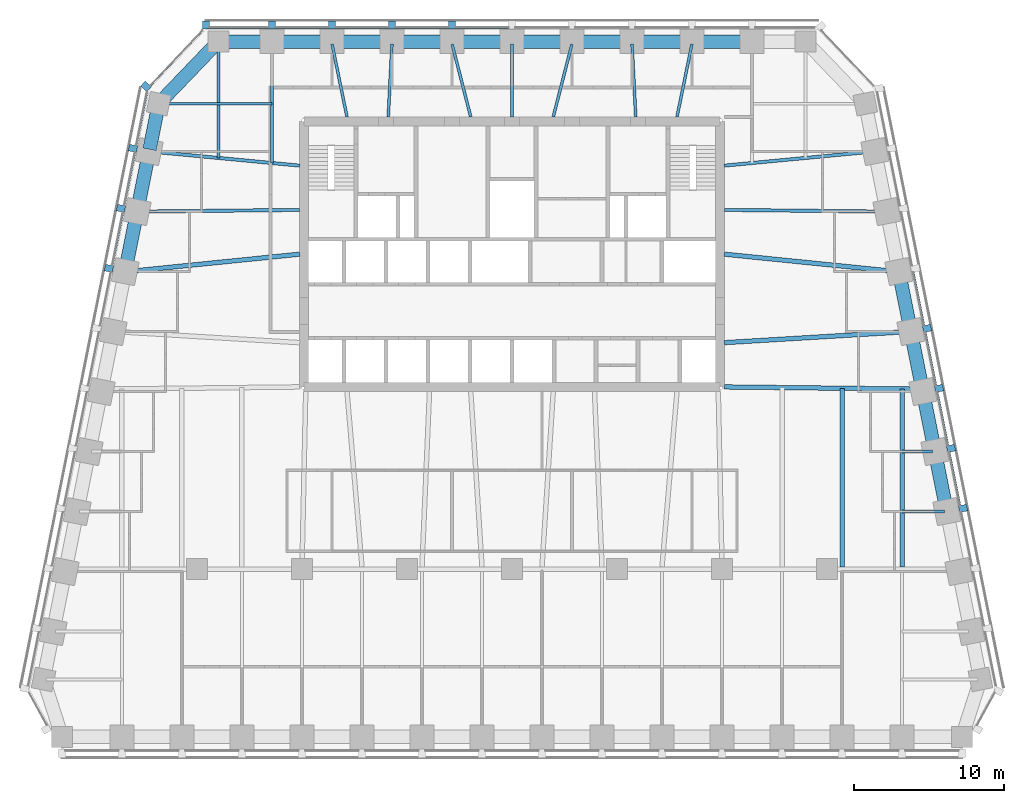
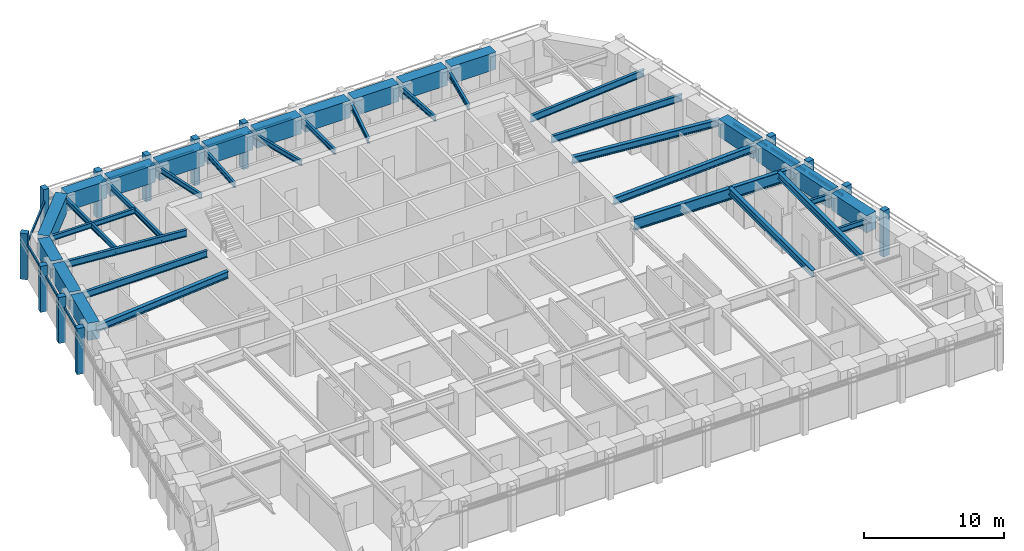
# One storey, part 3 of 11: 39 beams, 26 members, 4 elements without a shape of their own.
"""IFC4 building model written with IfcOpenShell, lengths in metres."""

from ifc_helpers import new_model, si_unit, direction, frame, origin, origin_2d, place, context, subcontext, project, spatial, rectangle, i_section, extrude, material, material_profile, profile_set, type_object, element, aggregate, save


model = new_model("IFC4")

# Units and contexts
model_context = context("Model", 3, precision=1e-05, world=origin(), true_north=direction((0.0, 1.0)))
body_context = subcontext(model_context, "Body", "Model", "MODEL_VIEW")
ifc_project = project(units=[si_unit("LENGTHUNIT", "METRE"), si_unit("AREAUNIT", "SQUARE_METRE"), si_unit("VOLUMEUNIT", "CUBIC_METRE"), si_unit("PLANEANGLEUNIT", "RADIAN"), si_unit("MASSUNIT", "GRAM", prefix="KILO")], contexts=[model_context])

# Site, building, storey
site_placement = place(None, origin())
site = spatial("IfcSite", under=ifc_project, at=site_placement, CompositionType="ELEMENT")
building_placement = place(site_placement, origin())
building = spatial("IfcBuilding", under=site, at=building_placement, Name="Isbrekke Arena Tower", CompositionType="ELEMENT")
storey_placement = place(building_placement, frame((0.0, 0.0, 202.0)))
storey = spatial("IfcBuildingStorey", under=building, at=storey_placement, Name="L46", CompositionType="ELEMENT", Elevation=202.0)

# Beams
ifc_material_1 = material(Name="Steel S355", Category="steel")
ifc_material_profile_1 = material_profile(ifc_material_1, i_section(OverallWidth=0.219970703125, OverallDepth=0.60009765625, WebThickness=0.011962890625, FlangeThickness=0.01904296875, FilletRadius=0.02392578125, at=origin_2d()), Name="IPE 600")
ifc_profile_set_1 = profile_set([ifc_material_profile_1], Name="Steel S355")
beam_type_1 = type_object("IfcBeamType", Name="B1 IPE 600", PredefinedType="BEAM", material=ifc_profile_set_1)
beam_1_placement = place(storey_placement, frame((24.83984375, 17.838134765625, 3.550048828125), z_axis=(-0.999945299061, 0.010459392202, 0.0), x_axis=(-0.010459392202, -0.999945299061, 0.0)))
element("IfcBeam", 1, at=beam_1_placement, inside=storey, type_object=beam_type_1, Name="B1 beam E-E09 L46", PredefinedType="BEAM", context=body_context, shape_type="SweptSolid", body=[
    extrude(i_section(OverallWidth=0.219970703125, OverallDepth=0.60009765625, WebThickness=0.011962890625, FlangeThickness=0.01904296875, FilletRadius=0.02392578125, at=origin_2d()), origin(), (0.0, 0.0, 1.0), 10.6904296875),
])
for number, where, z_axis, x_axis, name in (
    (2, (24.03076171875, 21.837158203125, 3.550048828125), (-0.99553133081, -0.094431823952, 0.0), (0.094431823952, -0.99553133081, 0.0), "B1 beam E-E10 L46"),
    (3, (-24.03076171875, 21.837158203125, 3.550048828125), (0.99553133081, -0.094431823952, 0.0), (0.094431823952, 0.99553133081, 0.0), "B1 beam E-W02 L46"),
):
    element("IfcBeam", number, at=place(storey_placement, frame(where, z_axis=z_axis, x_axis=x_axis)), inside=storey, type_object=beam_type_1, Name=name, PredefinedType="BEAM", context=body_context, shape_type="SweptSolid", body=[
        extrude(i_section(OverallWidth=0.219970703125, OverallDepth=0.60009765625, WebThickness=0.011962890625, FlangeThickness=0.01904296875, FilletRadius=0.02392578125, at=origin_2d()), origin(), (0.0, 0.0, 1.0), 9.92529296875),
    ])
beam_2_placement = place(storey_placement, frame((-24.83984375, 17.838134765625, 3.550048828125), z_axis=(0.999945299061, 0.010459392202, 0.0), x_axis=(-0.010459392202, 0.999945299061, 0.0)))
element("IfcBeam", 4, at=beam_2_placement, inside=storey, type_object=beam_type_1, Name="B1 beam E-W03 L46", PredefinedType="BEAM", context=body_context, shape_type="SweptSolid", body=[
    extrude(i_section(OverallWidth=0.219970703125, OverallDepth=0.60009765625, WebThickness=0.011962890625, FlangeThickness=0.01904296875, FilletRadius=0.02392578125, at=origin_2d()), origin(), (0.0, 0.0, 1.0), 10.6904296875),
])
ifc_material_2 = material(Name="Steel S355", Category="steel")
ifc_material_profile_2 = material_profile(ifc_material_2, i_section(OverallWidth=0.18994140625, OverallDepth=0.449951171875, WebThickness=0.009521484375, FlangeThickness=0.0146484375, FilletRadius=0.02099609375, at=origin_2d()), Name="IPE 450")
ifc_profile_set_2 = profile_set([ifc_material_profile_2], Name="Steel S355")
beam_type_2 = type_object("IfcBeamType", Name="B2 IPE 450", PredefinedType="BEAM", material=ifc_profile_set_2)
beam_3_placement = place(storey_placement, frame((28.841064453125, -2.161865234375, 3.625), z_axis=(-1.0, 0.0, 0.0), x_axis=(0.0, -1.0, 0.0)))
element("IfcBeam", 5, at=beam_3_placement, inside=storey, type_object=beam_type_2, Name="B2 beam E-E04 L46", PredefinedType="BEAM", context=body_context, shape_type="SweptSolid", body=[
    extrude(i_section(OverallWidth=0.18994140625, OverallDepth=0.449951171875, WebThickness=0.009521484375, FlangeThickness=0.0146484375, FilletRadius=0.02099609375, at=origin_2d()), origin(), (0.0, 0.0, 1.0), 2.841064453125),
])
beam_4_placement = place(storey_placement, frame((28.041015625, 1.838134765625, 3.625), z_axis=(-1.0, 0.0, 0.0), x_axis=(0.0, -1.0, 0.0)))
element("IfcBeam", 6, at=beam_4_placement, inside=storey, type_object=beam_type_2, Name="B2 beam E-E05 L46", PredefinedType="BEAM", context=body_context, shape_type="SweptSolid", body=[
    extrude(i_section(OverallWidth=0.18994140625, OverallDepth=0.449951171875, WebThickness=0.009521484375, FlangeThickness=0.0146484375, FilletRadius=0.02099609375, at=origin_2d()), origin(), (0.0, 0.0, 1.0), 2.041015625),
])
beam_5_placement = place(storey_placement, frame((-23.40283203125, 25.029296875, 3.625), z_axis=(1.0, 0.0, 0.0), x_axis=(0.0, 1.0, 0.0)))
element("IfcBeam", 7, at=beam_5_placement, inside=storey, type_object=beam_type_2, Name="B2 beam E-W01 L46", PredefinedType="BEAM", context=body_context, shape_type="SweptSolid", body=[
    extrude(i_section(OverallWidth=0.18994140625, OverallDepth=0.449951171875, WebThickness=0.009521484375, FlangeThickness=0.0146484375, FilletRadius=0.02099609375, at=origin_2d()), origin(), (0.0, 0.0, 1.0), 7.40283203125),
])
ifc_material_3 = material(Name="Steel S355", Category="steel")
ifc_material_profile_3 = material_profile(ifc_material_3, i_section(OverallWidth=0.18994140625, OverallDepth=0.449951171875, WebThickness=0.009521484375, FlangeThickness=0.0146484375, FilletRadius=0.02099609375, at=origin_2d()), Name="IPE 450")
ifc_profile_set_3 = profile_set([ifc_material_profile_3], Name="Steel S355")
beam_type_3 = type_object("IfcBeamType", Name="B3 IPE 450", PredefinedType="BEAM", material=ifc_profile_set_3)
beam_6_placement = place(storey_placement, frame((-16.0, 29.02490234375, 3.625), z_axis=(0.0, -1.0, 0.0), x_axis=(1.0, 0.0, 0.0)))
element("IfcBeam", 8, at=beam_6_placement, inside=storey, type_object=beam_type_3, Name="B3 beam N-N10 L46", PredefinedType="BEAM", context=body_context, shape_type="SweptSolid", body=[
    extrude(i_section(OverallWidth=0.18994140625, OverallDepth=0.449951171875, WebThickness=0.009521484375, FlangeThickness=0.0146484375, FilletRadius=0.02099609375, at=origin_2d()), origin(), (0.0, 0.0, 1.0), 7.949462890625),
])
beam_7_placement = place(storey_placement, frame((-19.574951171875, 29.02490234375, 3.625), z_axis=(0.0, -1.0, 0.0), x_axis=(1.0, 0.0, 0.0)))
element("IfcBeam", 9, at=beam_7_placement, inside=storey, type_object=beam_type_3, Name="B3 beam N-N11 L46", PredefinedType="BEAM", context=body_context, shape_type="SweptSolid", body=[
    extrude(i_section(OverallWidth=0.18994140625, OverallDepth=0.449951171875, WebThickness=0.009521484375, FlangeThickness=0.0146484375, FilletRadius=0.02099609375, at=origin_2d()), origin(), (0.0, 0.0, 1.0), 7.6103515625),
])
beam_8_placement = place(storey_placement, frame((11.99609375, 29.00634765625, 3.625), z_axis=(-0.200924755878, -0.979606677435, 0.0), x_axis=(0.979606677435, -0.200924755878, 0.0)))
element("IfcBeam", 10, at=beam_8_placement, inside=storey, type_object=beam_type_3, Name="B3 beam N-N03 L46", PredefinedType="BEAM", context=body_context, shape_type="SweptSolid", body=[
    extrude(i_section(OverallWidth=0.18994140625, OverallDepth=0.449951171875, WebThickness=0.009521484375, FlangeThickness=0.0146484375, FilletRadius=0.02099609375, at=origin_2d()), origin(), (0.0, 0.0, 1.0), 4.95751953125),
])
beam_9_placement = place(storey_placement, frame((8.000244140625, 29.02001953125, 3.625), z_axis=(0.051216032312, -0.998687597817, 0.0), x_axis=(0.998687597817, 0.051216032312, 0.0)))
element("IfcBeam", 11, at=beam_9_placement, inside=storey, type_object=beam_type_3, Name="B3 beam N-N04 L46", PredefinedType="BEAM", context=body_context, shape_type="SweptSolid", body=[
    extrude(i_section(OverallWidth=0.18994140625, OverallDepth=0.449951171875, WebThickness=0.009521484375, FlangeThickness=0.0146484375, FilletRadius=0.02099609375, at=origin_2d()), origin(), (0.0, 0.0, 1.0), 4.87646484375),
])
beam_10_placement = place(storey_placement, frame((3.994140625, 29.002197265625, 3.625), z_axis=(-0.248368314686, -0.968665670012, 0.0), x_axis=(0.968665670012, -0.248368314686, 0.0)))
element("IfcBeam", 12, at=beam_10_placement, inside=storey, type_object=beam_type_3, Name="B3 beam N-N05 L46", PredefinedType="BEAM", context=body_context, shape_type="SweptSolid", body=[
    extrude(i_section(OverallWidth=0.18994140625, OverallDepth=0.449951171875, WebThickness=0.009521484375, FlangeThickness=0.0146484375, FilletRadius=0.02099609375, at=origin_2d()), origin(), (0.0, 0.0, 1.0), 5.00927734375),
])
beam_11_placement = place(storey_placement, frame((0.0, 29.02490234375, 3.625), z_axis=(0.0, -1.0, 0.0), x_axis=(1.0, 0.0, 0.0)))
element("IfcBeam", 13, at=beam_11_placement, inside=storey, type_object=beam_type_3, Name="B3 beam N-N06 L46", PredefinedType="BEAM", context=body_context, shape_type="SweptSolid", body=[
    extrude(i_section(OverallWidth=0.18994140625, OverallDepth=0.449951171875, WebThickness=0.009521484375, FlangeThickness=0.0146484375, FilletRadius=0.02099609375, at=origin_2d()), origin(), (0.0, 0.0, 1.0), 4.875),
])
beam_12_placement = place(storey_placement, frame((-3.994140625, 29.002197265625, 3.625), z_axis=(0.248368314686, -0.968665670012, 0.0), x_axis=(0.968665670012, 0.248368314686, 0.0)))
element("IfcBeam", 14, at=beam_12_placement, inside=storey, type_object=beam_type_3, Name="B3 beam N-N07 L46", PredefinedType="BEAM", context=body_context, shape_type="SweptSolid", body=[
    extrude(i_section(OverallWidth=0.18994140625, OverallDepth=0.449951171875, WebThickness=0.009521484375, FlangeThickness=0.0146484375, FilletRadius=0.02099609375, at=origin_2d()), origin(), (0.0, 0.0, 1.0), 5.00927734375),
])
beam_13_placement = place(storey_placement, frame((-8.000244140625, 29.02001953125, 3.625), z_axis=(-0.051216032312, -0.998687597817, 0.0), x_axis=(0.998687597817, -0.051216032312, 0.0)))
element("IfcBeam", 15, at=beam_13_placement, inside=storey, type_object=beam_type_3, Name="B3 beam N-N08 L46", PredefinedType="BEAM", context=body_context, shape_type="SweptSolid", body=[
    extrude(i_section(OverallWidth=0.18994140625, OverallDepth=0.449951171875, WebThickness=0.009521484375, FlangeThickness=0.0146484375, FilletRadius=0.02099609375, at=origin_2d()), origin(), (0.0, 0.0, 1.0), 4.87646484375),
])
beam_14_placement = place(storey_placement, frame((-11.99609375, 29.00634765625, 3.625), z_axis=(0.200924755878, -0.979606677435, 0.0), x_axis=(0.979606677435, 0.200924755878, 0.0)))
element("IfcBeam", 16, at=beam_14_placement, inside=storey, type_object=beam_type_3, Name="B3 beam N-N09 L46", PredefinedType="BEAM", context=body_context, shape_type="SweptSolid", body=[
    extrude(i_section(OverallWidth=0.18994140625, OverallDepth=0.449951171875, WebThickness=0.009521484375, FlangeThickness=0.0146484375, FilletRadius=0.02099609375, at=origin_2d()), origin(), (0.0, 0.0, 1.0), 4.95751953125),
])
ifc_material_4 = material(Name="Steel S355", Category="steel")
ifc_material_profile_4 = material_profile(ifc_material_4, i_section(OverallWidth=0.300048828125, OverallDepth=0.60009765625, WebThickness=0.015380859375, FlangeThickness=0.030029296875, FilletRadius=0.027099609375, at=origin_2d()), Name="HEB 600")
ifc_profile_set_4 = profile_set([ifc_material_profile_4], Name="Steel S355")
beam_type_4 = type_object("IfcBeamType", Name="B7 HEB 600", PredefinedType="BEAM", material=ifc_profile_set_4)
beam_15_placement = place(storey_placement, frame((22.0, -5.84912109375, 3.550048828125), z_axis=(0.0, 1.0, 0.0), x_axis=(-1.0, 0.0, 0.0)))
element("IfcBeam", 17, at=beam_15_placement, inside=storey, type_object=beam_type_4, Name="B7 beam C-M13 L46", PredefinedType="BEAM", context=body_context, shape_type="SweptSolid", body=[
    extrude(i_section(OverallWidth=0.300048828125, OverallDepth=0.60009765625, WebThickness=0.015380859375, FlangeThickness=0.030029296875, FilletRadius=0.027099609375, at=origin_2d()), origin(), (0.0, 0.0, 1.0), 11.91015625),
])
beam_16_placement = place(storey_placement, frame((26.0, -5.84912109375, 3.550048828125), z_axis=(0.0, 1.0, 0.0), x_axis=(-1.0, 0.0, 0.0)))
element("IfcBeam", 18, at=beam_16_placement, inside=storey, type_object=beam_type_4, Name="B7 beam C-M14 L46", PredefinedType="BEAM", context=body_context, shape_type="SweptSolid", body=[
    extrude(i_section(OverallWidth=0.300048828125, OverallDepth=0.60009765625, WebThickness=0.015380859375, FlangeThickness=0.030029296875, FilletRadius=0.027099609375, at=origin_2d()), origin(), (0.0, 0.0, 1.0), 11.864990234375),
])
beam_17_placement = place(storey_placement, frame((26.43212890625, 9.837646484375, 3.550048828125), z_axis=(-0.998201854902, -0.059942112659, 0.0), x_axis=(0.059942112659, -0.998201854902, 0.0)))
element("IfcBeam", 19, at=beam_17_placement, inside=storey, type_object=beam_type_4, Name="B7 beam E-E07 L46", PredefinedType="BEAM", context=body_context, shape_type="SweptSolid", body=[
    extrude(i_section(OverallWidth=0.300048828125, OverallDepth=0.60009765625, WebThickness=0.015380859375, FlangeThickness=0.030029296875, FilletRadius=0.027099609375, at=origin_2d()), origin(), (0.0, 0.0, 1.0), 12.304443359375),
])
for number, where, z_axis, x_axis, name in (
    (20, (25.6259765625, 13.83984375, 3.550048828125), (-0.994928891111, 0.100580821396, 0.0), (-0.100580821396, -0.994928891111, 0.0), "B7 beam E-E08 L46"),
    (21, (-25.6259765625, 13.83984375, 3.550048828125), (0.994928891111, 0.100580821396, 0.0), (-0.100580821396, 0.994928891111, 0.0), "B7 beam E-W04 L46"),
):
    element("IfcBeam", number, at=place(storey_placement, frame(where, z_axis=z_axis, x_axis=x_axis)), inside=storey, type_object=beam_type_4, Name=name, PredefinedType="BEAM", context=body_context, shape_type="SweptSolid", body=[
        extrude(i_section(OverallWidth=0.300048828125, OverallDepth=0.60009765625, WebThickness=0.015380859375, FlangeThickness=0.030029296875, FilletRadius=0.027099609375, at=origin_2d()), origin(), (0.0, 0.0, 1.0), 11.53466796875),
    ])

# Curtain wall, members
ifc_material_5 = material(Name="Glazed aluminium curtain wall", Category="aluminium")
curtain_wall_type = type_object("IfcCurtainWallType", Name="CWH TOWER CURTAIN WALL HIGH ZONE", PredefinedType="USERDEFINED", material=ifc_material_5)
curtain_wall_1_placement = place(storey_placement, origin())
curtain_wall_1 = element("IfcCurtainWall", 22, at=curtain_wall_1_placement, inside=storey, type_object=curtain_wall_type, Name="CWH curtain wall L46-E", ObjectType="TOWER CURTAIN WALL HIGH ZONE", PredefinedType="USERDEFINED")
ifc_material_6 = material(Name="Aluminium mullion, pale brick slip cladding", Category="masonry")
ifc_material_profile_5 = material_profile(ifc_material_6, rectangle(XDim=0.449951171875, YDim=0.550048828125, at=origin_2d()), Name="PIER 450X550")
ifc_profile_set_5 = profile_set([ifc_material_profile_5], Name="Aluminium mullion, pale brick slip cladding")
member_type_1 = type_object("IfcMemberType", Name="CWH-M PIER MULLION 450 x 550", PredefinedType="MULLION", material=ifc_profile_set_5)
member_1_placement = place(storey_placement, frame((30.069580078125, -1.946044921875, 0.0), z_axis=(0.0, 0.0, 1.0), x_axis=(-0.196116135138, 0.980580675691, 0.0)))
member_1 = element("IfcMember", 23, at=member_1_placement, type_object=member_type_1, Name="CWH-M mullion 3", PredefinedType="MULLION", context=body_context, shape_type="SweptSolid", body=[
    extrude(rectangle(XDim=0.449951171875, YDim=0.550048828125, at=origin_2d()), origin(), (0.0, 0.0, 1.0), 4.0),
])
member_2_placement = place(storey_placement, frame((29.269775390625, 2.053955078125, 0.0), z_axis=(0.0, 0.0, 1.0), x_axis=(-0.196116135138, 0.980580675691, 0.0)))
member_2 = element("IfcMember", 24, at=member_2_placement, type_object=member_type_1, Name="CWH-M mullion 4", PredefinedType="MULLION", context=body_context, shape_type="SweptSolid", body=[
    extrude(rectangle(XDim=0.449951171875, YDim=0.550048828125, at=origin_2d()), origin(), (0.0, 0.0, 1.0), 4.0),
])
member_3_placement = place(storey_placement, frame((28.4697265625, 6.053955078125, 0.0), z_axis=(0.0, 0.0, 1.0), x_axis=(-0.196116135138, 0.980580675691, 0.0)))
member_3 = element("IfcMember", 25, at=member_3_placement, type_object=member_type_1, Name="CWH-M mullion 5", PredefinedType="MULLION", context=body_context, shape_type="SweptSolid", body=[
    extrude(rectangle(XDim=0.449951171875, YDim=0.550048828125, at=origin_2d()), origin(), (0.0, 0.0, 1.0), 4.0),
])
member_4_placement = place(storey_placement, frame((27.669677734375, 10.053955078125, 0.0), z_axis=(0.0, 0.0, 1.0), x_axis=(-0.196116135138, 0.980580675691, 0.0)))
member_4 = element("IfcMember", 26, at=member_4_placement, type_object=member_type_1, Name="CWH-M mullion 6", PredefinedType="MULLION", context=body_context, shape_type="SweptSolid", body=[
    extrude(rectangle(XDim=0.449951171875, YDim=0.550048828125, at=origin_2d()), origin(), (0.0, 0.0, 1.0), 4.0),
])

curtain_wall_2_placement = place(storey_placement, origin())
curtain_wall_2 = element("IfcCurtainWall", 27, at=curtain_wall_2_placement, inside=storey, type_object=curtain_wall_type, Name="CWH curtain wall L46-N", ObjectType="TOWER CURTAIN WALL HIGH ZONE", PredefinedType="USERDEFINED")
member_5_placement = place(storey_placement, frame((-4.0, 30.27490234375, 0.0), z_axis=(0.0, 0.0, 1.0), x_axis=(-1.0, 0.0, 0.0)))
member_5 = element("IfcMember", 28, at=member_5_placement, type_object=member_type_1, Name="CWH-M mullion 6", PredefinedType="MULLION", context=body_context, shape_type="SweptSolid", body=[
    extrude(rectangle(XDim=0.449951171875, YDim=0.550048828125, at=origin_2d()), origin(), (0.0, 0.0, 1.0), 4.0),
])
member_6_placement = place(storey_placement, frame((-8.0, 30.27490234375, 0.0), z_axis=(0.0, 0.0, 1.0), x_axis=(-1.0, 0.0, 0.0)))
member_6 = element("IfcMember", 29, at=member_6_placement, type_object=member_type_1, Name="CWH-M mullion 7", PredefinedType="MULLION", context=body_context, shape_type="SweptSolid", body=[
    extrude(rectangle(XDim=0.449951171875, YDim=0.550048828125, at=origin_2d()), origin(), (0.0, 0.0, 1.0), 4.0),
])
member_7_placement = place(storey_placement, frame((-12.0, 30.27490234375, 0.0), z_axis=(0.0, 0.0, 1.0), x_axis=(-1.0, 0.0, 0.0)))
member_7 = element("IfcMember", 30, at=member_7_placement, type_object=member_type_1, Name="CWH-M mullion 8", PredefinedType="MULLION", context=body_context, shape_type="SweptSolid", body=[
    extrude(rectangle(XDim=0.449951171875, YDim=0.550048828125, at=origin_2d()), origin(), (0.0, 0.0, 1.0), 4.0),
])
member_8_placement = place(storey_placement, frame((-16.0, 30.27490234375, 0.0), z_axis=(0.0, 0.0, 1.0), x_axis=(-1.0, 0.0, 0.0)))
member_8 = element("IfcMember", 31, at=member_8_placement, type_object=member_type_1, Name="CWH-M mullion 9", PredefinedType="MULLION", context=body_context, shape_type="SweptSolid", body=[
    extrude(rectangle(XDim=0.449951171875, YDim=0.550048828125, at=origin_2d()), origin(), (0.0, 0.0, 1.0), 4.0),
])
member_9_placement = place(storey_placement, frame((-20.39990234375, 30.27490234375, 0.0), z_axis=(0.0, 0.0, 1.0), x_axis=(-1.0, 0.0, 0.0)))
member_9 = element("IfcMember", 32, at=member_9_placement, type_object=member_type_1, Name="CWH-M mullion 10", PredefinedType="MULLION", context=body_context, shape_type="SweptSolid", body=[
    extrude(rectangle(XDim=0.449951171875, YDim=0.550048828125, at=origin_2d()), origin(), (0.0, 0.0, 1.0), 4.0),
])

# Curtain wall, member
curtain_wall_3_placement = place(storey_placement, origin())
curtain_wall_3 = element("IfcCurtainWall", 33, at=curtain_wall_3_placement, inside=storey, type_object=curtain_wall_type, Name="CWH curtain wall L46-NW", ObjectType="TOWER CURTAIN WALL HIGH ZONE", PredefinedType="USERDEFINED")
member_10_placement = place(storey_placement, frame((-24.3994140625, 26.189453125, 0.0), z_axis=(0.0, 0.0, 1.0), x_axis=(-0.68874946192, -0.72499943359, 0.0)))
member_10 = element("IfcMember", 34, at=member_10_placement, type_object=member_type_1, Name="CWH-M mullion 1", PredefinedType="MULLION", context=body_context, shape_type="SweptSolid", body=[
    extrude(rectangle(XDim=0.449951171875, YDim=0.550048828125, at=origin_2d()), origin(), (0.0, 0.0, 1.0), 4.0),
])

# Curtain wall, members
curtain_wall_4_placement = place(storey_placement, origin())
curtain_wall_4 = element("IfcCurtainWall", 35, at=curtain_wall_4_placement, inside=storey, type_object=curtain_wall_type, Name="CWH curtain wall L46-W", ObjectType="TOWER CURTAIN WALL HIGH ZONE", PredefinedType="USERDEFINED")
member_11_placement = place(storey_placement, frame((-25.269775390625, 22.053955078125, 0.0), z_axis=(0.0, 0.0, 1.0), x_axis=(-0.196116135138, -0.980580675691, 0.0)))
member_11 = element("IfcMember", 36, at=member_11_placement, type_object=member_type_1, Name="CWH-M mullion 1", PredefinedType="MULLION", context=body_context, shape_type="SweptSolid", body=[
    extrude(rectangle(XDim=0.449951171875, YDim=0.550048828125, at=origin_2d()), origin(), (0.0, 0.0, 1.0), 4.0),
])
member_12_placement = place(storey_placement, frame((-26.069580078125, 18.053955078125, 0.0), z_axis=(0.0, 0.0, 1.0), x_axis=(-0.196116135138, -0.980580675691, 0.0)))
member_12 = element("IfcMember", 37, at=member_12_placement, type_object=member_type_1, Name="CWH-M mullion 2", PredefinedType="MULLION", context=body_context, shape_type="SweptSolid", body=[
    extrude(rectangle(XDim=0.449951171875, YDim=0.550048828125, at=origin_2d()), origin(), (0.0, 0.0, 1.0), 4.0),
])
member_13_placement = place(storey_placement, frame((-26.86962890625, 14.053955078125, 0.0), z_axis=(0.0, 0.0, 1.0), x_axis=(-0.196116135138, -0.980580675691, 0.0)))
member_13 = element("IfcMember", 38, at=member_13_placement, type_object=member_type_1, Name="CWH-M mullion 3", PredefinedType="MULLION", context=body_context, shape_type="SweptSolid", body=[
    extrude(rectangle(XDim=0.449951171875, YDim=0.550048828125, at=origin_2d()), origin(), (0.0, 0.0, 1.0), 4.0),
])

# Member
ifc_material_7 = material(Name="Aluminium transom", Category="aluminium")
ifc_material_profile_6 = material_profile(ifc_material_7, rectangle(XDim=0.1201171875, YDim=0.199951171875, at=origin_2d()), Name="TRANSOM 120X200")
ifc_profile_set_6 = profile_set([ifc_material_profile_6], Name="Aluminium transom")
member_type_2 = type_object("IfcMemberType", Name="CWH-T TRANSOM 120 x 200", PredefinedType="USERDEFINED", material=ifc_profile_set_6)
member_14_placement = place(storey_placement, frame((29.85400390625, -1.759765625, 3.0), z_axis=(-0.196154943734, 0.980572913173, 0.0), x_axis=(-0.980572913173, -0.196154943734, 0.0)))
member_14 = element("IfcMember", 39, at=member_14_placement, type_object=member_type_2, Name="CWH-T transom 4", ObjectType="TRANSOM", PredefinedType="USERDEFINED", context=body_context, shape_type="SweptSolid", body=[
    extrude(rectangle(XDim=0.1201171875, YDim=0.199951171875, at=origin_2d()), origin(), (0.0, 0.0, 1.0), 3.62939453125),
])

member_15_placement = place(storey_placement, frame((29.053955078125, 2.240234375, 3.0), z_axis=(-0.196090262229, 0.980585849918, 0.0), x_axis=(-0.980585849918, -0.196090262229, 0.0)))
member_15 = element("IfcMember", 40, at=member_15_placement, type_object=member_type_2, Name="CWH-T transom 5", ObjectType="TRANSOM", PredefinedType="USERDEFINED", context=body_context, shape_type="SweptSolid", body=[
    extrude(rectangle(XDim=0.1201171875, YDim=0.199951171875, at=origin_2d()), origin(), (0.0, 0.0, 1.0), 3.62939453125),
])

member_16_placement = place(storey_placement, frame((28.25390625, 6.240234375, 3.0), z_axis=(-0.196090262229, 0.980585849918, 0.0), x_axis=(-0.980585849918, -0.196090262229, 0.0)))
member_16 = element("IfcMember", 41, at=member_16_placement, type_object=member_type_2, Name="CWH-T transom 6", ObjectType="TRANSOM", PredefinedType="USERDEFINED", context=body_context, shape_type="SweptSolid", body=[
    extrude(rectangle(XDim=0.1201171875, YDim=0.199951171875, at=origin_2d()), origin(), (0.0, 0.0, 1.0), 3.62939453125),
])

member_17_placement = place(storey_placement, frame((27.453857421875, 10.240234375, 3.0), z_axis=(-0.196090262229, 0.980585849918, 0.0), x_axis=(-0.980585849918, -0.196090262229, 0.0)))
member_17 = element("IfcMember", 42, at=member_17_placement, type_object=member_type_2, Name="CWH-T transom 7", ObjectType="TRANSOM", PredefinedType="USERDEFINED", context=body_context, shape_type="SweptSolid", body=[
    extrude(rectangle(XDim=0.1201171875, YDim=0.199951171875, at=origin_2d()), origin(), (0.0, 0.0, 1.0), 3.62939453125),
])

aggregate(curtain_wall_1, [member_1, member_2, member_3, member_4, member_14, member_15, member_16, member_17])

member_18_placement = place(storey_placement, frame((-0.22509765625, 30.10009765625, 3.0), z_axis=(-1.0, 0.0, 0.0), x_axis=(0.0, -1.0, 0.0)))
member_18 = element("IfcMember", 43, at=member_18_placement, type_object=member_type_2, Name="CWH-T transom 6", ObjectType="TRANSOM", PredefinedType="USERDEFINED", context=body_context, shape_type="SweptSolid", body=[
    extrude(rectangle(XDim=0.1201171875, YDim=0.199951171875, at=origin_2d()), origin(), (0.0, 0.0, 1.0), 3.5498046875),
])

member_19_placement = place(storey_placement, frame((-4.22509765625, 30.10009765625, 3.0), z_axis=(-1.0, 0.0, 0.0), x_axis=(0.0, -1.0, 0.0)))
member_19 = element("IfcMember", 44, at=member_19_placement, type_object=member_type_2, Name="CWH-T transom 7", ObjectType="TRANSOM", PredefinedType="USERDEFINED", context=body_context, shape_type="SweptSolid", body=[
    extrude(rectangle(XDim=0.1201171875, YDim=0.199951171875, at=origin_2d()), origin(), (0.0, 0.0, 1.0), 3.5498046875),
])

member_20_placement = place(storey_placement, frame((-8.22509765625, 30.10009765625, 3.0), z_axis=(-1.0, 0.0, 0.0), x_axis=(0.0, -1.0, 0.0)))
member_20 = element("IfcMember", 45, at=member_20_placement, type_object=member_type_2, Name="CWH-T transom 8", ObjectType="TRANSOM", PredefinedType="USERDEFINED", context=body_context, shape_type="SweptSolid", body=[
    extrude(rectangle(XDim=0.1201171875, YDim=0.199951171875, at=origin_2d()), origin(), (0.0, 0.0, 1.0), 3.5498046875),
])

member_21_placement = place(storey_placement, frame((-12.22509765625, 30.10009765625, 3.0), z_axis=(-1.0, 0.0, 0.0), x_axis=(0.0, -1.0, 0.0)))
member_21 = element("IfcMember", 46, at=member_21_placement, type_object=member_type_2, Name="CWH-T transom 9", ObjectType="TRANSOM", PredefinedType="USERDEFINED", context=body_context, shape_type="SweptSolid", body=[
    extrude(rectangle(XDim=0.1201171875, YDim=0.199951171875, at=origin_2d()), origin(), (0.0, 0.0, 1.0), 3.5498046875),
])

member_22_placement = place(storey_placement, frame((-16.22509765625, 30.10009765625, 3.0), z_axis=(-1.0, 0.0, 0.0), x_axis=(0.0, -1.0, 0.0)))
member_22 = element("IfcMember", 47, at=member_22_placement, type_object=member_type_2, Name="CWH-T transom 10", ObjectType="TRANSOM", PredefinedType="USERDEFINED", context=body_context, shape_type="SweptSolid", body=[
    extrude(rectangle(XDim=0.1201171875, YDim=0.199951171875, at=origin_2d()), origin(), (0.0, 0.0, 1.0), 3.949951171875),
])

aggregate(curtain_wall_2, [member_5, member_6, member_7, member_8, member_9, member_18, member_19, member_20, member_21, member_22])

member_23_placement = place(storey_placement, frame((-20.62744140625, 29.90576171875, 3.0), z_axis=(-0.688734266994, -0.725013868466, 0.0), x_axis=(0.725013868466, -0.688734266994, 0.0)))
member_23 = element("IfcMember", 48, at=member_23_placement, type_object=member_type_2, Name="CWH-T transom 1", ObjectType="TRANSOM", PredefinedType="USERDEFINED", context=body_context, shape_type="SweptSolid", body=[
    extrude(rectangle(XDim=0.1201171875, YDim=0.199951171875, at=origin_2d()), origin(), (0.0, 0.0, 1.0), 5.067138671875),
])

aggregate(curtain_wall_3, [member_10, member_23])

member_24_placement = place(storey_placement, frame((-24.34228515625, 25.799072265625, 3.0), z_axis=(-0.196090262229, -0.980585849918, 0.0), x_axis=(0.980585849918, -0.196090262229, 0.0)))
member_24 = element("IfcMember", 49, at=member_24_placement, type_object=member_type_2, Name="CWH-T transom 1", ObjectType="TRANSOM", PredefinedType="USERDEFINED", context=body_context, shape_type="SweptSolid", body=[
    extrude(rectangle(XDim=0.1201171875, YDim=0.199951171875, at=origin_2d()), origin(), (0.0, 0.0, 1.0), 3.62939453125),
])

member_25_placement = place(storey_placement, frame((-25.14208984375, 21.799072265625, 3.0), z_axis=(-0.196154943734, -0.980572913173, 0.0), x_axis=(0.980572913173, -0.196154943734, 0.0)))
member_25 = element("IfcMember", 50, at=member_25_placement, type_object=member_type_2, Name="CWH-T transom 2", ObjectType="TRANSOM", PredefinedType="USERDEFINED", context=body_context, shape_type="SweptSolid", body=[
    extrude(rectangle(XDim=0.1201171875, YDim=0.199951171875, at=origin_2d()), origin(), (0.0, 0.0, 1.0), 3.62939453125),
])

member_26_placement = place(storey_placement, frame((-25.942138671875, 17.799072265625, 3.0), z_axis=(-0.196154943734, -0.980572913173, 0.0), x_axis=(0.980572913173, -0.196154943734, 0.0)))
member_26 = element("IfcMember", 51, at=member_26_placement, type_object=member_type_2, Name="CWH-T transom 3", ObjectType="TRANSOM", PredefinedType="USERDEFINED", context=body_context, shape_type="SweptSolid", body=[
    extrude(rectangle(XDim=0.1201171875, YDim=0.199951171875, at=origin_2d()), origin(), (0.0, 0.0, 1.0), 3.62939453125),
])

aggregate(curtain_wall_4, [member_11, member_12, member_13, member_24, member_25, member_26])

# Beams
ifc_material_8 = material(Name="Steel S355", Category="steel")
ifc_material_profile_7 = material_profile(ifc_material_8, i_section(OverallWidth=0.302001953125, OverallDepth=1.008056640625, WebThickness=0.02099609375, FlangeThickness=0.0400390625, FilletRadius=0.030029296875, at=origin_2d()), Name="HEM 1000")
ifc_profile_set_7 = profile_set([ifc_material_profile_7], Name="Steel S355")
beam_type_5 = type_object("IfcBeamType", Name="G2 HEM 1000", PredefinedType="BEAM", material=ifc_profile_set_7)
beam_18_placement = place(storey_placement, frame((14.14990234375, 6.14990234375, 3.345947265625), z_axis=(0.999935908299, -0.011321629528, 0.0), x_axis=(0.011321629528, 0.999935908299, 0.0)))
element("IfcBeam", 52, at=beam_18_placement, inside=storey, type_object=beam_type_5, Name="G2 beam G2-E L46", PredefinedType="BEAM", context=body_context, shape_type="SweptSolid", body=[
    extrude(i_section(OverallWidth=0.302001953125, OverallDepth=1.008056640625, WebThickness=0.02099609375, FlangeThickness=0.0400390625, FilletRadius=0.030029296875, at=origin_2d()), origin(), (0.0, 0.0, 1.0), 13.240234375),
])
ifc_material_9 = material(Name="Concrete B65 (C65/80)", Category="concrete")
ifc_material_profile_8 = material_profile(ifc_material_9, rectangle(XDim=0.89990234375, YDim=1.5, at=origin_2d()), Name="RC 900x1500")
ifc_profile_set_8 = profile_set([ifc_material_profile_8], Name="Concrete B65 (C65/80)")
beam_type_6 = type_object("IfcBeamType", Name="SB3 RC 900 x 1500", PredefinedType="SPANDREL", material=ifc_profile_set_8)
for number, where, z_axis, x_axis, name in (
    (53, (28.961669921875, -2.0146484375, 3.25), (-0.196128558387, 0.980578190959, 0.0), (-0.980578190959, -0.196128558387, 0.0), "SB3 spandrel E04-E05 L46"),
    (54, (28.16162109375, 1.9853515625, 3.25), (-0.196128558387, 0.980578190959, 0.0), (-0.980578190959, -0.196128558387, 0.0), "SB3 spandrel E05-E06 L46"),
    (55, (27.361572265625, 5.9853515625, 3.25), (-0.196128558387, 0.980578190959, 0.0), (-0.980578190959, -0.196128558387, 0.0), "SB3 spandrel E06-E07 L46"),
):
    element("IfcBeam", number, at=place(storey_placement, frame(where, z_axis=z_axis, x_axis=x_axis)), inside=storey, type_object=beam_type_6, Name=name, PredefinedType="SPANDREL", context=body_context, shape_type="SweptSolid", body=[
        extrude(rectangle(XDim=0.89990234375, YDim=1.5, at=origin_2d()), origin(), (0.0, 0.0, 1.0), 3.779296875),
    ])
beam_19_placement = place(storey_placement, frame((26.5615234375, 9.9853515625, 3.25), z_axis=(-0.1960664412, 0.980590613169, 0.0), x_axis=(-0.980590613169, -0.1960664412, 0.0)))
element("IfcBeam", 56, at=beam_19_placement, inside=storey, type_object=beam_type_6, Name="SB3 spandrel E07-E08 L46", PredefinedType="SPANDREL", context=body_context, shape_type="SweptSolid", body=[
    extrude(rectangle(XDim=0.89990234375, YDim=1.5, at=origin_2d()), origin(), (0.0, 0.0, 1.0), 3.779052734375),
])
for number, where, z_axis, x_axis, name in (
    (57, (15.85009765625, 29.175048828125, 3.25), (-1.0, 0.0, 0.0), (0.0, -1.0, 0.0), "SB3 spandrel N02-N03 L46"),
    (58, (11.85009765625, 29.175048828125, 3.25), (-1.0, 0.0, 0.0), (0.0, -1.0, 0.0), "SB3 spandrel N03-N04 L46"),
    (59, (7.85009765625, 29.175048828125, 3.25), (-1.0, 0.0, 0.0), (0.0, -1.0, 0.0), "SB3 spandrel N04-N05 L46"),
    (60, (3.85009765625, 29.175048828125, 3.25), (-1.0, 0.0, 0.0), (0.0, -1.0, 0.0), "SB3 spandrel N05-N06 L46"),
    (61, (-0.14990234375, 29.175048828125, 3.25), (-1.0, 0.0, 0.0), (0.0, -1.0, 0.0), "SB3 spandrel N06-N07 L46"),
    (62, (-4.14990234375, 29.175048828125, 3.25), (-1.0, 0.0, 0.0), (0.0, -1.0, 0.0), "SB3 spandrel N07-N08 L46"),
    (63, (-8.14990234375, 29.175048828125, 3.25), (-1.0, 0.0, 0.0), (0.0, -1.0, 0.0), "SB3 spandrel N08-N09 L46"),
    (64, (-12.14990234375, 29.175048828125, 3.25), (-1.0, 0.0, 0.0), (0.0, -1.0, 0.0), "SB3 spandrel N09-N10 L46"),
):
    element("IfcBeam", number, at=place(storey_placement, frame(where, z_axis=z_axis, x_axis=x_axis)), inside=storey, type_object=beam_type_6, Name=name, PredefinedType="SPANDREL", context=body_context, shape_type="SweptSolid", body=[
        extrude(rectangle(XDim=0.89990234375, YDim=1.5, at=origin_2d()), origin(), (0.0, 0.0, 1.0), 3.7001953125),
    ])
beam_20_placement = place(storey_placement, frame((-16.14990234375, 29.175048828125, 3.25), z_axis=(-1.0, 0.0, 0.0), x_axis=(0.0, -1.0, 0.0)))
element("IfcBeam", 65, at=beam_20_placement, inside=storey, type_object=beam_type_6, Name="SB3 spandrel N10-N11 L46", PredefinedType="SPANDREL", context=body_context, shape_type="SweptSolid", body=[
    extrude(rectangle(XDim=0.89990234375, YDim=1.5, at=origin_2d()), origin(), (0.0, 0.0, 1.0), 3.275146484375),
])
beam_21_placement = place(storey_placement, frame((-19.678955078125, 29.066650390625, 3.25), z_axis=(-0.692339547635, -0.721571861134, 0.0), x_axis=(0.721571861134, -0.692339547635, 0.0)))
element("IfcBeam", 66, at=beam_21_placement, inside=storey, type_object=beam_type_6, Name="SB3 spandrel N11-W01 L46", PredefinedType="SPANDREL", context=body_context, shape_type="SweptSolid", body=[
    extrude(rectangle(XDim=0.89990234375, YDim=1.5, at=origin_2d()), origin(), (0.0, 0.0, 1.0), 5.4453125),
])
beam_22_placement = place(storey_placement, frame((-23.582275390625, 24.882080078125, 3.25), z_axis=(-0.196116135138, -0.980580675691, 0.0), x_axis=(0.980580675691, -0.196116135138, 0.0)))
element("IfcBeam", 67, at=beam_22_placement, inside=storey, type_object=beam_type_6, Name="SB3 spandrel W01-W02 L46", PredefinedType="SPANDREL", context=body_context, shape_type="SweptSolid", body=[
    extrude(rectangle(XDim=0.89990234375, YDim=1.5, at=origin_2d()), origin(), (0.0, 0.0, 1.0), 2.9541015625),
])
for number, where, z_axis, x_axis, name in (
    (68, (-24.220458984375, 21.691162109375, 3.25), (-0.196128558387, -0.980578190959, 0.0), (0.980578190959, -0.196128558387, 0.0), "SB3 spandrel W02-W03 L46"),
    (69, (-25.0205078125, 17.691162109375, 3.25), (-0.196128558387, -0.980578190959, 0.0), (0.980578190959, -0.196128558387, 0.0), "SB3 spandrel W03-W04 L46"),
):
    element("IfcBeam", number, at=place(storey_placement, frame(where, z_axis=z_axis, x_axis=x_axis)), inside=storey, type_object=beam_type_6, Name=name, PredefinedType="SPANDREL", context=body_context, shape_type="SweptSolid", body=[
        extrude(rectangle(XDim=0.89990234375, YDim=1.5, at=origin_2d()), origin(), (0.0, 0.0, 1.0), 3.779296875),
    ])

save(model, "model.ifc")
